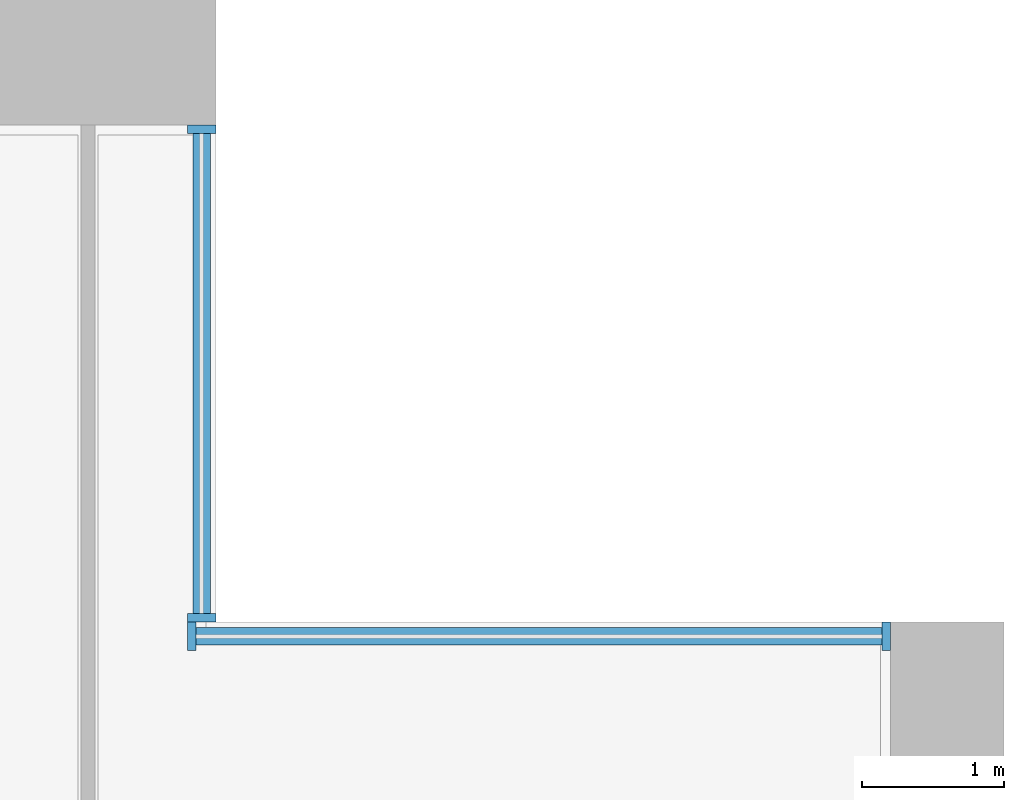
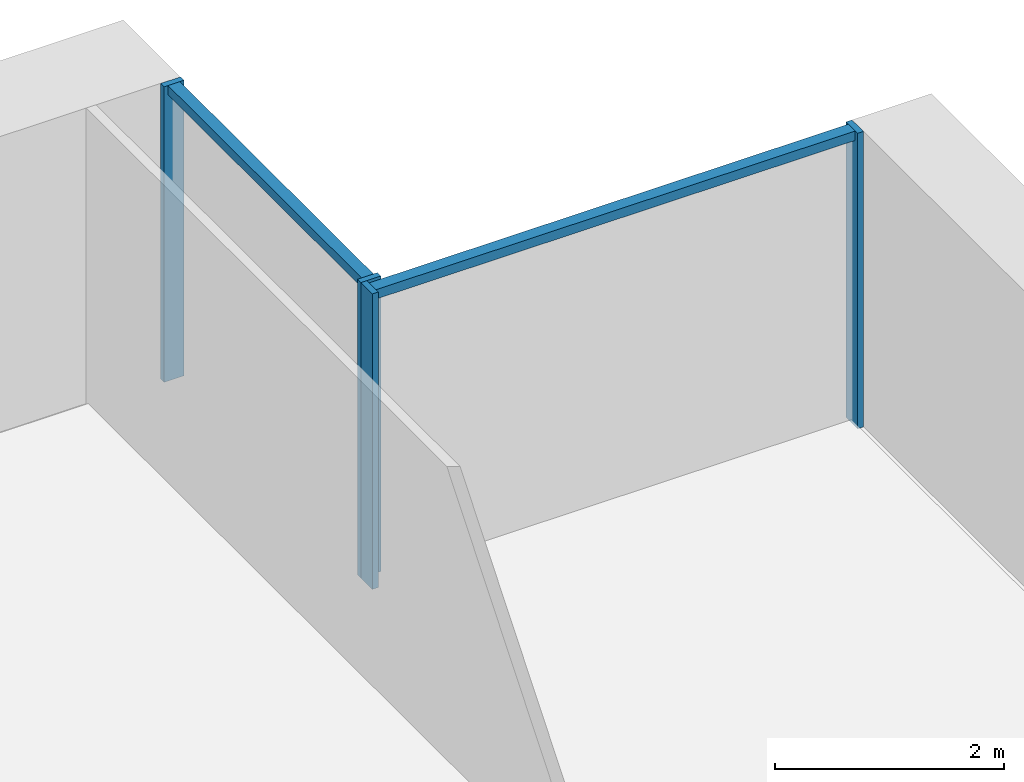
# One storey, part 6 of 18: 6 members, 2 elements without a shape of their own.
"""IFC4 building model written with IfcOpenShell, lengths in metres."""

import ifcopenshell
import ifcopenshell.guid

model = None  # the IFC model being written
_history = None  # IfcOwnerHistory: only IFC2X3 demands one
_inside = {}  # id of a spatial element -> (the spatial element, [elements in it])
_under = {}  # id of a project, library or spatial element -> (it, [spatial elements below it])
_declared = {}  # id of a project -> (the project, [libraries it declares])
_typed = {}  # id of a type object -> (the type object, [elements of that type])
_made_of = {}  # id of a material, layer set ... -> (it, [elements and type objects made of it])


def new_model(schema):
    """Start an empty IFC model of exactly this schema.

    Asked for "IFC4X3", IfcOpenShell would pick the latest addendum, in which some entities
    have other attributes; the version numbers below select the first issue.
    IFC2X3 requires an IfcOwnerHistory on every rooted entity: one is made here for all.
    """
    global model, _history
    if schema == "IFC4X3":
        model = ifcopenshell.file(schema_version=(4, 3, 0, 0))
    else:
        model = ifcopenshell.file(schema=schema)
    _inside.clear()
    _under.clear()
    _declared.clear()
    _typed.clear()
    _made_of.clear()
    _history = None
    if model.schema == "IFC2X3":
        org = make("IfcOrganization", Name="unknown")
        user = make(
            "IfcPersonAndOrganization",
            ThePerson=make("IfcPerson", FamilyName="unknown"),
            TheOrganization=org,
        )
        app = make(
            "IfcApplication",
            ApplicationDeveloper=org,
            Version="unknown",
            ApplicationFullName="unknown",
            ApplicationIdentifier="unknown",
        )
        _history = make(
            "IfcOwnerHistory",
            OwningUser=user,
            OwningApplication=app,
            ChangeAction="ADDED",
            CreationDate=0,
        )
    return model


def make(cls, **values):
    """One entity of the class cls with the attributes given. An attribute that is None is left unset."""
    return model.create_entity(
        cls, **{name: value for name, value in values.items() if value is not None}
    )


def rooted(cls, **values):
    """An entity with a GlobalId (a new one), such as an element, a storey or a relation."""
    return make(cls, GlobalId=ifcopenshell.guid.new(), OwnerHistory=_history, **values)


def si_unit(unit_type, name, prefix=None):
    """IfcSIUnit, for example si_unit("LENGTHUNIT", "METRE", prefix="MILLI")."""
    return make("IfcSIUnit", UnitType=unit_type, Prefix=prefix, Name=name)


def assignment(units):
    """IfcUnitAssignment: the units of a project."""
    return None if units is None else make("IfcUnitAssignment", Units=units)


def point(xyz):
    """IfcCartesianPoint."""
    return None if xyz is None else make("IfcCartesianPoint", Coordinates=xyz)


def direction(xyz):
    """IfcDirection."""
    return None if xyz is None else make("IfcDirection", DirectionRatios=xyz)


def frame(location, z_axis=None, x_axis=None):
    """IfcAxis2Placement3D, a coordinate frame: its origin and axes. An axis left out is left unset."""
    return make(
        "IfcAxis2Placement3D",
        Location=point(location),
        Axis=direction(z_axis),
        RefDirection=direction(x_axis),
    )


def frame_2d(location, x_axis=None):
    """IfcAxis2Placement2D, a coordinate frame in the plane: its origin and x axis."""
    return make(
        "IfcAxis2Placement2D", Location=point(location), RefDirection=direction(x_axis)
    )


def origin():
    """The frame at (0, 0, 0) with its axes left unset."""
    return frame((0.0, 0.0, 0.0))


def origin_2d():
    """The frame at (0, 0) in the plane with its x axis left unset."""
    return frame_2d((0.0, 0.0))


def place(relative_to, where):
    """IfcLocalPlacement: puts the frame where relative to a parent placement (None: the world)."""
    return make(
        "IfcLocalPlacement", PlacementRelTo=relative_to, RelativePlacement=where
    )


def context(
    kind, dimensions, precision=None, world=None, true_north=None, identifier=None
):
    """IfcGeometricRepresentationContext, for example the 3D "Model" context."""
    return make(
        "IfcGeometricRepresentationContext",
        ContextIdentifier=identifier,
        ContextType=kind,
        CoordinateSpaceDimension=dimensions,
        Precision=precision,
        WorldCoordinateSystem=world,
        TrueNorth=true_north,
    )


def subcontext(parent, identifier, kind, view, scale=None):
    """IfcGeometricRepresentationSubContext, for example "Body" below "Model"."""
    return make(
        "IfcGeometricRepresentationSubContext",
        ContextIdentifier=identifier,
        ContextType=kind,
        ParentContext=parent,
        TargetScale=scale,
        TargetView=view,
    )


def project(units=None, contexts=None):
    """IfcProject with its units and contexts."""
    return rooted(
        "IfcProject",
        Name="project",
        RepresentationContexts=contexts,
        UnitsInContext=assignment(units),
    )


def spatial(cls, under=None, at=None, **own):
    """A site, building, storey or space (cls), placed at a placement, below another one or the project."""
    s = rooted(cls, ObjectPlacement=at, **own)
    if under is not None:
        _under.setdefault(under.id(), (under, []))[1].append(s)
    return s


def profile(cls, at=None, kind="AREA", **sizes):
    """A parametric profile (cls). Its sizes go by their IFC names, for example OverallWidth=200.0."""
    return make(cls, ProfileType=kind, Position=at, **sizes)


def rectangle(**sizes):
    """IfcRectangleProfileDef."""
    return profile("IfcRectangleProfileDef", **sizes)


def extrude(swept, where, along, depth):
    """IfcExtrudedAreaSolid: the profile swept, set in the frame where, extruded along a direction by depth."""
    return make(
        "IfcExtrudedAreaSolid",
        SweptArea=swept,
        Position=where,
        ExtrudedDirection=direction(along),
        Depth=depth,
    )


def shape(context_of_items, identifier, shape_type, items):
    """IfcShapeRepresentation: the items that make up one representation, for example the "Body"."""
    return make(
        "IfcShapeRepresentation",
        ContextOfItems=context_of_items,
        RepresentationIdentifier=identifier,
        RepresentationType=shape_type,
        Items=items,
    )


def material(Name=None, Category=None):
    """IfcMaterial."""
    return make("IfcMaterial", Name=Name, Category=Category)


def material_profile(
    of_material, cross_section, Name=None, Category=None, Priority=None
):
    """IfcMaterialProfile: a cross section and its material."""
    return make(
        "IfcMaterialProfile",
        Name=Name,
        Material=of_material,
        Profile=cross_section,
        Priority=Priority,
        Category=Category,
    )


def profile_set(profiles, Name=None, composite=None):
    """IfcMaterialProfileSet."""
    return make(
        "IfcMaterialProfileSet",
        Name=Name,
        MaterialProfiles=profiles,
        CompositeProfile=composite,
    )


def made_of(thing, what):
    """Note that an element or type object is made of a material, layer set ...; save() writes the relation."""
    if what is not None:
        _made_of.setdefault(what.id(), (what, []))[1].append(thing)
    return thing


def type_object(cls, material=None, **own):
    """A type object (cls), such as IfcWallType, which elements share."""
    return made_of(rooted(cls, **own), material)


def element(
    cls,
    number,
    at=None,
    inside=None,
    cuts=None,
    type_object=None,
    material=None,
    context=None,
    identifier="Body",
    shape_type=None,
    held_by="IfcProductDefinitionShape",
    body=None,
    shapes=None,
    **own,
):
    """One element of the class cls, such as IfcWall. Its Tag is "e" and its number.

    at: its placement. inside: the storey or other place that contains it. cuts: it is an
    opening in that element (IfcRelVoidsElement). A single representation is given by context,
    identifier, shape_type and body (its items); several are given by shapes. held_by: the class
    of the entity that holds the representations. save() writes the other relations.
    """
    e = rooted(cls, Tag="e%d" % number, ObjectPlacement=at, **own)
    if body is not None:
        shapes = [shape(context, identifier, shape_type, body)]
    if shapes is not None:
        e.Representation = make(held_by, Representations=shapes)
    if inside is not None:
        _inside.setdefault(inside.id(), (inside, []))[1].append(e)
    if cuts is not None:
        rooted(
            "IfcRelVoidsElement", RelatingBuildingElement=cuts, RelatedOpeningElement=e
        )
    if type_object is not None:
        _typed.setdefault(type_object.id(), (type_object, []))[1].append(e)
    return made_of(e, material)


def aggregate(whole, parts):
    """IfcRelAggregates: a whole, such as a stair, and the parts it consists of."""
    return rooted("IfcRelAggregates", RelatingObject=whole, RelatedObjects=parts)


def save(model, path):
    """Write the relations noted so far, then the file.

    IfcRelAggregates (storeys below a building ...), IfcRelContainedInSpatialStructure (elements
    in a storey), IfcRelDefinesByType, IfcRelAssociatesMaterial and IfcRelDeclares: one each for
    every whole, place, type object, material and project.
    """
    for whole, parts in _under.values():
        aggregate(whole, parts)
    for where, things in _inside.values():
        rooted(
            "IfcRelContainedInSpatialStructure",
            RelatedElements=things,
            RelatingStructure=where,
        )
    for kind, things in _typed.values():
        rooted("IfcRelDefinesByType", RelatedObjects=things, RelatingType=kind)
    for what, things in _made_of.values():
        rooted("IfcRelAssociatesMaterial", RelatedObjects=things, RelatingMaterial=what)
    for by, libraries in _declared.values():
        rooted("IfcRelDeclares", RelatingContext=by, RelatedDefinitions=libraries)
    model.write(path)


model = new_model("IFC4")

# Units and contexts
model_context = context("Model", 3, precision=1e-05, world=origin(), true_north=direction((0.0, 1.0)))
body_context = subcontext(model_context, "Body", "Model", "MODEL_VIEW")
ifc_project = project(units=[si_unit("LENGTHUNIT", "METRE"), si_unit("AREAUNIT", "SQUARE_METRE"), si_unit("VOLUMEUNIT", "CUBIC_METRE"), si_unit("PLANEANGLEUNIT", "RADIAN"), si_unit("MASSUNIT", "GRAM", prefix="KILO")], contexts=[model_context])

# Site, building, storey
site_placement = place(None, origin())
site = spatial("IfcSite", under=ifc_project, at=site_placement, CompositionType="ELEMENT")
building_placement = place(site_placement, origin())
building = spatial("IfcBuilding", under=site, at=building_placement, Name="Calvaro Tower", CompositionType="ELEMENT")
storey_placement = place(building_placement, frame((0.0, 0.0, 86.25)))
storey = spatial("IfcBuildingStorey", under=building, at=storey_placement, Name="L21", CompositionType="ELEMENT", Elevation=86.25)

# Curtain wall, members
ifc_material_1 = material(Name="Anodised aluminium", Category="aluminium")
curtain_wall_type = type_object("IfcCurtainWallType", Name="Office curtain wall, lower zone", PredefinedType="NOTDEFINED", material=ifc_material_1)
curtain_wall_1_placement = place(storey_placement, origin())
curtain_wall_1 = element("IfcCurtainWall", 1, at=curtain_wall_1_placement, inside=storey, type_object=curtain_wall_type, Name="CW1 corner curtain wall", PredefinedType="NOTDEFINED")
ifc_material_2 = material(Name="Anodised aluminium", Category="aluminium")
ifc_material_profile_1 = material_profile(ifc_material_2, rectangle(XDim=0.199951171875, YDim=0.06005859375, at=origin_2d()), Name="Mullion S1 60 x 200")
ifc_profile_set_1 = profile_set([ifc_material_profile_1], Name="Anodised aluminium")
member_type_1 = type_object("IfcMemberType", Name="Mullion S1 60 x 200", PredefinedType="MULLION", material=ifc_profile_set_1)
member_1_placement = place(storey_placement, frame((72.35009765625, 41.530029296875, 0.0), z_axis=(0.0, 0.0, 1.0), x_axis=(-1.0, 0.0, 0.0)))
member_1 = element("IfcMember", 2, at=member_1_placement, type_object=member_type_1, Name="CW1 mullion 1", PredefinedType="MULLION", context=body_context, shape_type="SweptSolid", body=[
    extrude(rectangle(XDim=0.199951171875, YDim=0.06005859375, at=origin_2d()), origin(), (0.0, 0.0, 1.0), 3.14990234375),
])
member_2_placement = place(storey_placement, frame((72.35009765625, 44.969970703125, 0.0), z_axis=(0.0, 0.0, 1.0), x_axis=(-1.0, 0.0, 0.0)))
member_2 = element("IfcMember", 3, at=member_2_placement, type_object=member_type_1, Name="CW1 mullion 2", PredefinedType="MULLION", context=body_context, shape_type="SweptSolid", body=[
    extrude(rectangle(XDim=0.199951171875, YDim=0.06005859375, at=origin_2d()), origin(), (0.0, 0.0, 1.0), 3.14990234375),
])

curtain_wall_2_placement = place(storey_placement, origin())
curtain_wall_2 = element("IfcCurtainWall", 4, at=curtain_wall_2_placement, inside=storey, type_object=curtain_wall_type, Name="CW1 corner curtain wall", PredefinedType="NOTDEFINED")
member_3_placement = place(storey_placement, frame((72.280029296875, 41.39990234375, 0.0), z_axis=(0.0, 0.0, 1.0), x_axis=(0.0, 1.0, 0.0)))
member_3 = element("IfcMember", 5, at=member_3_placement, type_object=member_type_1, Name="CW1 mullion 1", PredefinedType="MULLION", context=body_context, shape_type="SweptSolid", body=[
    extrude(rectangle(XDim=0.199951171875, YDim=0.06005859375, at=origin_2d()), origin(), (0.0, 0.0, 1.0), 3.14990234375),
])
member_4_placement = place(storey_placement, frame((77.169921875, 41.39990234375, 0.0), z_axis=(0.0, 0.0, 1.0), x_axis=(0.0, 1.0, 0.0)))
member_4 = element("IfcMember", 6, at=member_4_placement, type_object=member_type_1, Name="CW1 mullion 2", PredefinedType="MULLION", context=body_context, shape_type="SweptSolid", body=[
    extrude(rectangle(XDim=0.199951171875, YDim=0.06005859375, at=origin_2d()), origin(), (0.0, 0.0, 1.0), 3.14990234375),
])

# Member
ifc_material_3 = material(Name="Anodised aluminium", Category="aluminium")
ifc_material_profile_2 = material_profile(ifc_material_3, rectangle(XDim=0.1201171875, YDim=0.10009765625, at=origin_2d()), Name="Transom S1 100 x 120")
ifc_profile_set_2 = profile_set([ifc_material_profile_2], Name="Anodised aluminium")
member_type_2 = type_object("IfcMemberType", Name="Transom S1 100 x 120", PredefinedType="USERDEFINED", material=ifc_profile_set_2)
member_5_placement = place(storey_placement, frame((72.35009765625, 41.56005859375, 3.10009765625), z_axis=(0.0, 1.0, 0.0), x_axis=(-1.0, 0.0, 0.0)))
member_5 = element("IfcMember", 7, at=member_5_placement, type_object=member_type_2, Name="CW1 transom 1.1", ObjectType="TRANSOM", PredefinedType="USERDEFINED", context=body_context, shape_type="SweptSolid", body=[
    extrude(rectangle(XDim=0.1201171875, YDim=0.10009765625, at=origin_2d()), origin(), (0.0, 0.0, 1.0), 3.3798828125),
])

aggregate(curtain_wall_1, [member_1, member_2, member_5])

member_6_placement = place(storey_placement, frame((72.31005859375, 41.39990234375, 3.10009765625), z_axis=(1.0, 0.0, 0.0), x_axis=(0.0, 1.0, 0.0)))
member_6 = element("IfcMember", 8, at=member_6_placement, type_object=member_type_2, Name="CW1 transom 1.1", ObjectType="TRANSOM", PredefinedType="USERDEFINED", context=body_context, shape_type="SweptSolid", body=[
    extrude(rectangle(XDim=0.1201171875, YDim=0.10009765625, at=origin_2d()), origin(), (0.0, 0.0, 1.0), 4.829833984375),
])

aggregate(curtain_wall_2, [member_3, member_4, member_6])

save(model, "model.ifc")
